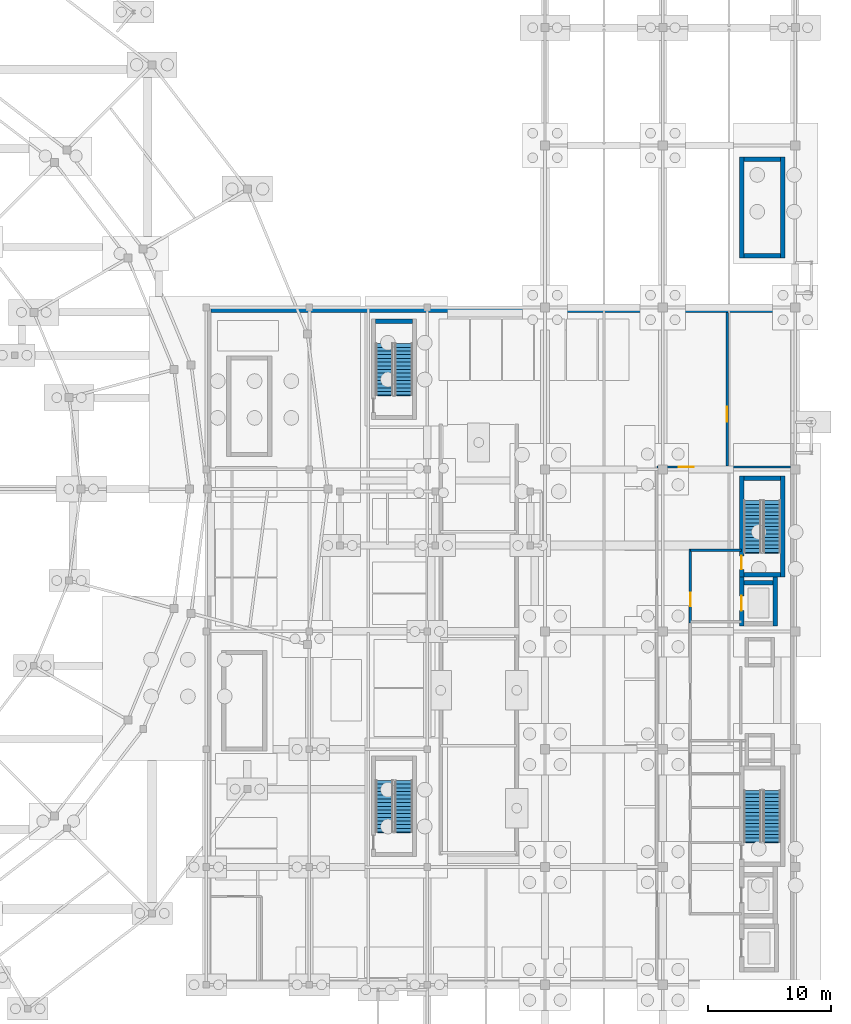
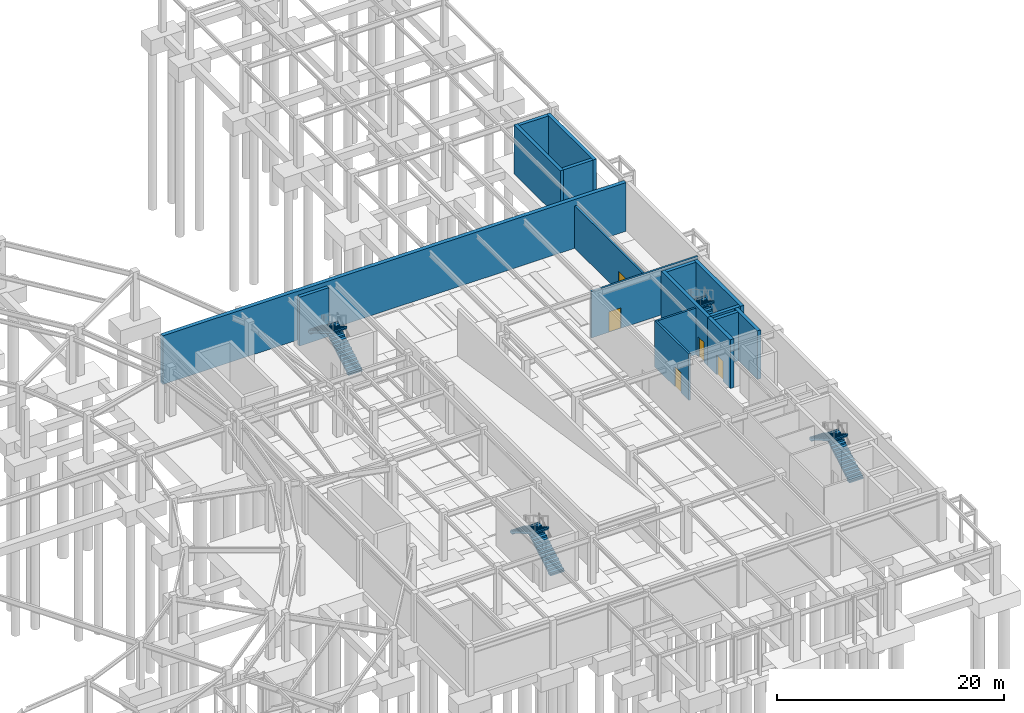
# One storey, part 49 of 55: 17 walls, 8 stair flights, 5 doors, 5 openings, 4 elements without a shape of their own.
"""IFC4 building model written with IfcOpenShell, lengths in metres."""

from ifc_helpers import new_model, si_unit, direction, frame, frame_2d, origin, place, context, subcontext, project, spatial, polyline, rectangle, outline, extrude, material, layer, layer_set, type_object, element, fill, aggregate, save


model = new_model("IFC4")

# Units and contexts
model_context = context("Model", 3, precision=1e-05, world=origin(), true_north=direction((0.0, 1.0)))
body_context = subcontext(model_context, "Body", "Model", "MODEL_VIEW")
ifc_project = project(units=[si_unit("LENGTHUNIT", "METRE"), si_unit("AREAUNIT", "SQUARE_METRE"), si_unit("VOLUMEUNIT", "CUBIC_METRE"), si_unit("PLANEANGLEUNIT", "RADIAN"), si_unit("MASSUNIT", "GRAM", prefix="KILO")], contexts=[model_context])

# Site, building, storey
site_placement = place(None, origin())
site = spatial("IfcSite", under=ifc_project, at=site_placement, CompositionType="ELEMENT")
building_placement = place(site_placement, origin())
building = spatial("IfcBuilding", under=site, at=building_placement, Name="Almandine Court Research Institute", CompositionType="ELEMENT")
storey_placement = place(building_placement, frame((0.0, 0.0, -5.25)))
storey = spatial("IfcBuildingStorey", under=building, at=storey_placement, Name="B1", CompositionType="ELEMENT", Elevation=-5.25)

# Wall, opening, door
ifc_material_1 = material(Name="Two-Hour Fire-Barrier Enclosure Wall")
ifc_layer_1 = layer(ifc_material_1, 0.199951171875)
ifc_layer_set_1 = layer_set([ifc_layer_1], Name="Two-Hour Fire-Barrier Enclosure Wall")
wall_type_1 = type_object("IfcWallType", Name="Wall-FIRE-200", PredefinedType="SOLIDWALL", material=ifc_layer_set_1)
wall_1_placement = place(storey_placement, frame((165.449951171875, 45.10009765625, 0.0), z_axis=(0.0, 0.0, 1.0), x_axis=(0.0, 1.0, 0.0)))
wall_1 = element("IfcWall", 1, at=wall_1_placement, inside=storey, type_object=wall_type_1, Name="B1 Interior Partition W-FFL2-B1-W", PredefinedType="SOLIDWALL", context=body_context, shape_type="SweptSolid", body=[
    extrude(rectangle(XDim=6.0, YDim=0.199951171875, at=frame_2d((3.0, 0.0))), origin(), (0.0, 0.0, 1.0), 5.0),
])
opening_1_placement = place(wall_1_placement, frame((1.35009765625, 0.0, 0.0)))
opening_1 = element("IfcOpeningElement", 2, at=opening_1_placement, cuts=wall_1, Name="Opening FD-FFL", PredefinedType="OPENING", context=body_context, shape_type="SweptSolid", body=[
    extrude(rectangle(XDim=1.10009765625, YDim=2.14990234375, at=frame_2d((0.550048828125, 1.074951171875))), frame((0.0, 0.10986328125, 0.0), z_axis=(0.0, -1.0, 0.0), x_axis=(1.0, 0.0, 0.0)), (0.0, 0.0, 1.0), 0.219970703125),
])
ifc_material_2 = material(Name="Smoke-Tight Firefighting Lobby Fire Door")
door_type_1 = type_object("IfcDoorType", Name="Door-FD-FFL-1100", OperationType="NOTDEFINED", PredefinedType="DOOR", material=ifc_material_2)
door_1_placement = place(opening_1_placement, origin())
door_1 = element("IfcDoor", 3, at=door_1_placement, inside=storey, type_object=door_type_1, Name="B1 Firefighting Lobby Fire Door 2", OperationType="SINGLE_SWING_RIGHT", OverallHeight=2.14990234375, OverallWidth=1.10009765625, PredefinedType="DOOR", context=body_context, shape_type="SweptSolid", body=[
    extrude(rectangle(XDim=1.10009765625, YDim=2.14990234375, at=frame_2d((0.550048828125, 1.074951171875))), frame((0.0, 0.02490234375, 0.0), z_axis=(0.0, -1.0, 0.0), x_axis=(1.0, 0.0, 0.0)), (0.0, 0.0, 1.0), 0.050048828125),
])
fill(opening_1, door_1)

# Wall
wall_2_placement = place(storey_placement, frame((165.449951171875, 51.0, 0.0), z_axis=(0.0, 0.0, 1.0), x_axis=(1.0, 0.0, 0.0)))
element("IfcWall", 4, at=wall_2_placement, inside=storey, type_object=wall_type_1, Name="B1 Interior Partition W-FFL2-B1-N", PredefinedType="SOLIDWALL", context=body_context, shape_type="SweptSolid", body=[
    extrude(rectangle(XDim=4.150146484375, YDim=0.199951171875, at=frame_2d((2.0751953125, 0.0))), origin(), (0.0, 0.0, 1.0), 5.0),
])

# Wall, opening, door
wall_3_placement = place(storey_placement, frame((162.719970703125, 57.800048828125, 0.0), z_axis=(0.0, 0.0, 1.0), x_axis=(1.0, 0.0, 0.0)))
wall_3 = element("IfcWall", 5, at=wall_3_placement, inside=storey, type_object=wall_type_1, Name="B1 Interior Partition W-B1-CENT", PredefinedType="SOLIDWALL", context=body_context, shape_type="SweptSolid", body=[
    extrude(rectangle(XDim=10.880126953125, YDim=0.199951171875, at=frame_2d((5.43994140625, 0.0))), origin(), (0.0, 0.0, 1.0), 5.0),
])
opening_2_placement = place(wall_3_placement, frame((1.800048828125, 0.0, 0.0)))
opening_2 = element("IfcOpeningElement", 6, at=opening_2_placement, cuts=wall_3, Name="Opening FD-LAB", PredefinedType="OPENING", context=body_context, shape_type="SweptSolid", body=[
    extrude(rectangle(XDim=1.199951171875, YDim=2.199951171875, at=frame_2d((0.60009765625, 1.10009765625))), frame((0.0, 0.10986328125, 0.0), z_axis=(0.0, -1.0, 0.0), x_axis=(1.0, 0.0, 0.0)), (0.0, 0.0, 1.0), 0.219970703125),
])
ifc_material_3 = material(Name="Fire-Rated Laboratory Containment Door")
door_type_2 = type_object("IfcDoorType", Name="Door-FD-LAB-1200", OperationType="NOTDEFINED", PredefinedType="DOOR", material=ifc_material_3)
door_2_placement = place(opening_2_placement, origin())
door_2 = element("IfcDoor", 7, at=door_2_placement, inside=storey, type_object=door_type_2, Name="B1 Central Chiller Plant Fire Door", OperationType="SINGLE_SWING_LEFT", OverallHeight=2.199951171875, OverallWidth=1.199951171875, PredefinedType="DOOR", context=body_context, shape_type="SweptSolid", body=[
    extrude(rectangle(XDim=1.199951171875, YDim=2.199951171875, at=frame_2d((0.60009765625, 1.10009765625))), frame((0.0, 0.02490234375, 0.0), z_axis=(0.0, -1.0, 0.0), x_axis=(1.0, 0.0, 0.0)), (0.0, 0.0, 1.0), 0.050048828125),
])
fill(opening_2, door_2)

wall_4_placement = place(storey_placement, frame((168.449951171875, 57.800048828125, 0.0), z_axis=(0.0, 0.0, 1.0), x_axis=(0.0, 1.0, 0.0)))
wall_4 = element("IfcWall", 8, at=wall_4_placement, inside=storey, type_object=wall_type_1, Name="B1 Interior Partition W-B1-ELEC", PredefinedType="SOLIDWALL", context=body_context, shape_type="SweptSolid", body=[
    extrude(rectangle(XDim=12.599853515625, YDim=0.199951171875, at=frame_2d((6.2998046875, 0.0))), origin(), (0.0, 0.0, 1.0), 4.574951171875),
])
opening_3_placement = place(wall_4_placement, frame((3.699951171875, 0.0, 0.0)))
opening_3 = element("IfcOpeningElement", 9, at=opening_3_placement, cuts=wall_4, Name="Opening FD-LAB", PredefinedType="OPENING", context=body_context, shape_type="SweptSolid", body=[
    extrude(rectangle(XDim=1.199951171875, YDim=2.199951171875, at=frame_2d((0.60009765625, 1.10009765625))), frame((0.0, 0.10986328125, 0.0), z_axis=(0.0, -1.0, 0.0), x_axis=(1.0, 0.0, 0.0)), (0.0, 0.0, 1.0), 0.219970703125),
])
door_3_placement = place(opening_3_placement, origin())
door_3 = element("IfcDoor", 10, at=door_3_placement, inside=storey, type_object=door_type_2, Name="B1 Electrical Switchgear Plant Fire Door", OperationType="SINGLE_SWING_RIGHT", OverallHeight=2.199951171875, OverallWidth=1.199951171875, PredefinedType="DOOR", context=body_context, shape_type="SweptSolid", body=[
    extrude(rectangle(XDim=1.199951171875, YDim=2.199951171875, at=frame_2d((0.60009765625, 1.10009765625))), frame((0.0, 0.02490234375, 0.0), z_axis=(0.0, -1.0, 0.0), x_axis=(1.0, 0.0, 0.0)), (0.0, 0.0, 1.0), 0.050048828125),
])
fill(opening_3, door_3)

# Wall
ifc_material_4 = material(Name="Concrete C40/50", Category="concrete")
ifc_layer_2 = layer(ifc_material_4, 0.39990234375)
ifc_layer_set_2 = layer_set([ifc_layer_2], Name="Concrete C40/50")
wall_type_2 = type_object("IfcWallType", Name="Wall-RW-B1-400", PredefinedType="USERDEFINED", material=ifc_layer_set_2)
wall_5_placement = place(storey_placement, frame((126.39990234375, 70.60009765625, 0.0), z_axis=(0.0, 0.0, 1.0), x_axis=(1.0, 0.0, 0.0)))
element("IfcWall", 11, at=wall_5_placement, inside=storey, type_object=wall_type_2, Name="B1 Basement Perimeter Retaining N Shear Wall", ObjectType="RETAINING WALL", PredefinedType="USERDEFINED", context=body_context, shape_type="SweptSolid", body=[
    extrude(rectangle(XDim=47.2001953125, YDim=0.39990234375, at=frame_2d((23.60009765625, 0.0))), origin(), (0.0, 0.0, 1.0), 5.25),
])

# Wall, opening, door
ifc_layer_3 = layer(ifc_material_4, 0.35009765625)
ifc_layer_set_3 = layer_set([ifc_layer_3], Name="Concrete C40/50")
wall_type_3 = type_object("IfcWallType", Name="Wall-SW-CORE-350", PredefinedType="SHEAR", material=ifc_layer_set_3)
wall_6_placement = place(storey_placement, frame((169.625, 48.85009765625, 0.0), z_axis=(0.0, 0.0, 1.0), x_axis=(0.0, 1.0, 0.0)))
wall_6 = element("IfcWall", 12, at=wall_6_placement, inside=storey, type_object=wall_type_3, Name="B1 ST-08 W Shear Wall", PredefinedType="SHEAR", context=body_context, shape_type="SweptSolid", body=[
    extrude(rectangle(XDim=8.199951171875, YDim=0.35009765625, at=frame_2d((4.10009765625, 0.0))), origin(), (0.0, 0.0, 1.0), 5.25),
])
opening_4_placement = place(wall_6_placement, frame((0.60009765625, 0.0, 0.0)))
opening_4 = element("IfcOpeningElement", 13, at=opening_4_placement, cuts=wall_6, Name="Opening FD-STAIR", PredefinedType="OPENING", context=body_context, shape_type="SweptSolid", body=[
    extrude(rectangle(XDim=1.10009765625, YDim=2.14990234375, at=frame_2d((0.550048828125, 1.074951171875))), frame((0.0, 0.18505859375, 0.0), z_axis=(0.0, -1.0, 0.0), x_axis=(1.0, 0.0, 0.0)), (0.0, 0.0, 1.0), 0.3701171875),
])
ifc_material_5 = material(Name="Self-Closing Steel Exit Stair Fire Door", Category="steel")
door_type_3 = type_object("IfcDoorType", Name="Door-FD-STAIR-1100", OperationType="NOTDEFINED", PredefinedType="DOOR", material=ifc_material_5)
door_4_placement = place(opening_4_placement, origin())
door_4 = element("IfcDoor", 14, at=door_4_placement, inside=storey, type_object=door_type_3, Name="B1 Exit Stair ST-08 Fire Door", OperationType="SINGLE_SWING_RIGHT", OverallHeight=2.14990234375, OverallWidth=1.10009765625, PredefinedType="DOOR", context=body_context, shape_type="SweptSolid", body=[
    extrude(rectangle(XDim=1.10009765625, YDim=2.14990234375, at=frame_2d((0.550048828125, 1.074951171875))), frame((0.0, 0.02490234375, 0.0), z_axis=(0.0, -1.0, 0.0), x_axis=(1.0, 0.0, 0.0)), (0.0, 0.0, 1.0), 0.050048828125),
])
fill(opening_4, door_4)

# Walls
wall_7_placement = place(storey_placement, frame((169.800048828125, 56.875, 0.0), z_axis=(0.0, 0.0, 1.0), x_axis=(1.0, 0.0, 0.0)))
element("IfcWall", 15, at=wall_7_placement, inside=storey, type_object=wall_type_3, Name="B1 ST-08 N Shear Wall", PredefinedType="SHEAR", context=body_context, shape_type="SweptSolid", body=[
    extrude(rectangle(XDim=3.0, YDim=0.35009765625, at=frame_2d((1.5, 0.0))), origin(), (0.0, 0.0, 1.0), 5.25),
])
wall_8_placement = place(storey_placement, frame((172.97509765625, 57.050048828125, 0.0), z_axis=(0.0, 0.0, 1.0), x_axis=(0.0, -1.0, 0.0)))
element("IfcWall", 16, at=wall_8_placement, inside=storey, type_object=wall_type_3, Name="B1 ST-08 E Shear Wall", PredefinedType="SHEAR", context=body_context, shape_type="SweptSolid", body=[
    extrude(rectangle(XDim=8.199951171875, YDim=0.35009765625, at=frame_2d((4.10009765625, 0.0))), origin(), (0.0, 0.0, 1.0), 5.25),
])
wall_9_placement = place(storey_placement, frame((172.800048828125, 49.02490234375, 0.0), z_axis=(0.0, 0.0, 1.0), x_axis=(-1.0, 0.0, 0.0)))
element("IfcWall", 17, at=wall_9_placement, inside=storey, type_object=wall_type_3, Name="B1 ST-08 S Shear Wall", PredefinedType="SHEAR", context=body_context, shape_type="SweptSolid", body=[
    extrude(rectangle(XDim=3.0, YDim=0.35009765625, at=frame_2d((1.5, 0.0))), origin(), (0.0, 0.0, 1.0), 5.25),
])
wall_10_placement = place(storey_placement, frame((169.625, 74.85009765625, 0.0), z_axis=(0.0, 0.0, 1.0), x_axis=(0.0, 1.0, 0.0)))
element("IfcWall", 18, at=wall_10_placement, inside=storey, type_object=wall_type_3, Name="B1 ST-13 Substructure W Shear Wall", PredefinedType="SHEAR", context=body_context, shape_type="SweptSolid", body=[
    extrude(rectangle(XDim=8.199951171875, YDim=0.35009765625, at=frame_2d((4.10009765625, 0.0))), origin(), (0.0, 0.0, 1.0), 5.25),
])
wall_11_placement = place(storey_placement, frame((169.800048828125, 82.875, 0.0), z_axis=(0.0, 0.0, 1.0), x_axis=(1.0, 0.0, 0.0)))
element("IfcWall", 19, at=wall_11_placement, inside=storey, type_object=wall_type_3, Name="B1 ST-13 Substructure N Shear Wall", PredefinedType="SHEAR", context=body_context, shape_type="SweptSolid", body=[
    extrude(rectangle(XDim=3.0, YDim=0.35009765625, at=frame_2d((1.5, 0.0))), origin(), (0.0, 0.0, 1.0), 5.25),
])
wall_12_placement = place(storey_placement, frame((172.97509765625, 83.050048828125, 0.0), z_axis=(0.0, 0.0, 1.0), x_axis=(0.0, -1.0, 0.0)))
element("IfcWall", 20, at=wall_12_placement, inside=storey, type_object=wall_type_3, Name="B1 ST-13 Substructure E Shear Wall", PredefinedType="SHEAR", context=body_context, shape_type="SweptSolid", body=[
    extrude(rectangle(XDim=8.199951171875, YDim=0.35009765625, at=frame_2d((4.10009765625, 0.0))), origin(), (0.0, 0.0, 1.0), 5.25),
])
for number, where, z_axis, x_axis, name in (
    (21, (172.800048828125, 75.02490234375, 0.0), (0.0, 0.0, 1.0), (-1.0, 0.0, 0.0), "B1 ST-13 Substructure S Shear Wall"),
    (22, (139.800048828125, 69.675048828125, 0.0), (0.0, 0.0, 1.0), (1.0, 0.0, 0.0), "B1 ST-12 N Shear Wall"),
):
    element("IfcWall", number, at=place(storey_placement, frame(where, z_axis=z_axis, x_axis=x_axis)), inside=storey, type_object=wall_type_3, Name=name, PredefinedType="SHEAR", context=body_context, shape_type="SweptSolid", body=[
        extrude(rectangle(XDim=3.0, YDim=0.35009765625, at=frame_2d((1.5, 0.0))), origin(), (0.0, 0.0, 1.0), 5.25),
    ])

# Wall, opening, door
wall_13_placement = place(storey_placement, frame((169.625, 44.85009765625, 0.0), z_axis=(0.0, 0.0, 1.0), x_axis=(0.0, 1.0, 0.0)))
wall_13 = element("IfcWall", 23, at=wall_13_placement, inside=storey, type_object=wall_type_3, Name="B1 FL-02 Hoistway W Shear Wall", PredefinedType="SHEAR", context=body_context, shape_type="SweptSolid", body=[
    extrude(rectangle(XDim=4.0, YDim=0.35009765625, at=frame_2d((2.0, 0.0))), origin(), (0.0, 0.0, 1.0), 5.25),
])
opening_5_placement = place(wall_13_placement, frame((1.25, 0.0, 0.0)))
opening_5 = element("IfcOpeningElement", 24, at=opening_5_placement, cuts=wall_13, Name="Opening LD-02", PredefinedType="OPENING", context=body_context, shape_type="SweptSolid", body=[
    extrude(rectangle(XDim=1.199951171875, YDim=2.14990234375, at=frame_2d((0.60009765625, 1.074951171875))), frame((0.0, 0.18505859375, 0.0), z_axis=(0.0, -1.0, 0.0), x_axis=(1.0, 0.0, 0.0)), (0.0, 0.0, 1.0), 0.3701171875),
])
ifc_material_6 = material(Name="Firefighting Lift Landing Sliding Door")
door_type_4 = type_object("IfcDoorType", Name="Door-LD-FSAE-1200", OperationType="SLIDING_TO_LEFT", PredefinedType="USERDEFINED", material=ifc_material_6)
door_5_placement = place(opening_5_placement, origin())
door_5 = element("IfcDoor", 25, at=door_5_placement, inside=storey, type_object=door_type_4, Name="B1 Firefighting Lift FL-02 Sliding Landing Door", ObjectType="LANDING DOOR", OperationType="SLIDING_TO_LEFT", OverallHeight=2.14990234375, OverallWidth=1.199951171875, PredefinedType="USERDEFINED", context=body_context, shape_type="SweptSolid", body=[
    extrude(rectangle(XDim=1.199951171875, YDim=2.14990234375, at=frame_2d((0.60009765625, 1.074951171875))), frame((0.0, 0.02490234375, 0.0), z_axis=(0.0, -1.0, 0.0), x_axis=(1.0, 0.0, 0.0)), (0.0, 0.0, 1.0), 0.050048828125),
])
fill(opening_5, door_5)

# Walls
wall_14_placement = place(storey_placement, frame((169.800048828125, 48.375, 0.0), z_axis=(0.0, 0.0, 1.0), x_axis=(1.0, 0.0, 0.0)))
element("IfcWall", 26, at=wall_14_placement, inside=storey, type_object=wall_type_3, Name="B1 FL-02 Hoistway N Shear Wall", PredefinedType="SHEAR", context=body_context, shape_type="SweptSolid", body=[
    extrude(rectangle(XDim=2.39990234375, YDim=0.35009765625, at=frame_2d((1.199951171875, 0.0))), origin(), (0.0, 0.0, 1.0), 5.25),
])
wall_15_placement = place(storey_placement, frame((172.375, 48.85009765625, 0.0), z_axis=(0.0, 0.0, 1.0), x_axis=(0.0, -1.0, 0.0)))
element("IfcWall", 27, at=wall_15_placement, inside=storey, type_object=wall_type_3, Name="B1 FL-02 Hoistway E Shear Wall", PredefinedType="SHEAR", context=body_context, shape_type="SweptSolid", body=[
    extrude(rectangle(XDim=4.0, YDim=0.35009765625, at=frame_2d((2.0, 0.0))), origin(), (0.0, 0.0, 1.0), 5.25),
])

# Stair, stair flights
ifc_material_7 = material(Name="Concrete C35/45", Category="concrete")
stair_type = type_object("IfcStairType", Name="Stair-Core-30R", PredefinedType="HALF_TURN_STAIR", material=ifc_material_7)
stair_1_placement = place(storey_placement, origin())
stair_1 = element("IfcStair", 28, at=stair_1_placement, inside=storey, type_object=stair_type, Name="B1 Wet Lab South High-Rise Core Stair", PredefinedType="HALF_TURN_STAIR")
stair_flight_type = type_object("IfcStairFlightType", Name="Flight-Core-30R", PredefinedType="STRAIGHT", material=ifc_material_7)
stair_flight_1_placement = place(storey_placement, frame((172.090087890625, 27.25, 0.0), z_axis=(0.0, 0.0, 1.0), x_axis=(0.0, 1.0, 0.0)))
stair_flight_1 = element("IfcStairFlight", 29, at=stair_flight_1_placement, type_object=stair_flight_type, Name="ST-07 flight 1", NumberOfRisers=15, NumberOfTreads=14, PredefinedType="STRAIGHT", RiserHeight=0.175, TreadLength=0.3, context=body_context, shape_type="SweptSolid", body=[
    extrude(outline(polyline([(-0.080078125, -0.139892578125), (-0.080078125, 0.0), (0.0, 0.0), (0.0, 0.175048828125), (0.300048828125, 0.175048828125), (0.300048828125, 0.35009765625), (0.60009765625, 0.35009765625), (0.60009765625, 0.52490234375), (0.89990234375, 0.52490234375), (0.89990234375, 0.699951171875), (1.199951171875, 0.699951171875), (1.199951171875, 0.875), (1.5, 0.875), (1.5, 1.050048828125), (1.800048828125, 1.050048828125), (1.800048828125, 1.22509765625), (2.10009765625, 1.22509765625), (2.10009765625, 1.39990234375), (2.39990234375, 1.39990234375), (2.39990234375, 1.574951171875), (2.699951171875, 1.574951171875), (2.699951171875, 1.75), (3.0, 1.75), (3.0, 1.925048828125), (3.300048828125, 1.925048828125), (3.300048828125, 2.10009765625), (3.60009765625, 2.10009765625), (3.60009765625, 2.27490234375), (3.89990234375, 2.27490234375), (3.89990234375, 2.449951171875), (4.199951171875, 2.449951171875), (4.199951171875, 2.625), (4.280029296875, 2.625), (4.280029296875, 2.465087890625), (4.199951171875, 2.264892578125), (0.3173828125, 0.0), (0.3173828125, -0.139892578125), (-0.080078125, -0.139892578125)])), frame((0.0, 0.7099609375, 0.0), z_axis=(0.0, -1.0, 0.0), x_axis=(1.0, 0.0, 0.0)), (0.0, 0.0, 1.0), 1.419921875),
])
stair_flight_2_placement = place(storey_placement, frame((170.510009765625, 31.449951171875, 2.625), z_axis=(0.0, 0.0, 1.0), x_axis=(0.0, -1.0, 0.0)))
stair_flight_2 = element("IfcStairFlight", 30, at=stair_flight_2_placement, type_object=stair_flight_type, Name="ST-07 flight 2", NumberOfRisers=15, NumberOfTreads=14, PredefinedType="STRAIGHT", RiserHeight=0.175, TreadLength=0.3, context=body_context, shape_type="SweptSolid", body=[
    extrude(outline(polyline([(-0.080078125, -0.139892578125), (-0.080078125, 0.0), (0.0, 0.0), (0.0, 0.175048828125), (0.300048828125, 0.175048828125), (0.300048828125, 0.35009765625), (0.60009765625, 0.35009765625), (0.60009765625, 0.52490234375), (0.89990234375, 0.52490234375), (0.89990234375, 0.699951171875), (1.199951171875, 0.699951171875), (1.199951171875, 0.875), (1.5, 0.875), (1.5, 1.050048828125), (1.800048828125, 1.050048828125), (1.800048828125, 1.22509765625), (2.10009765625, 1.22509765625), (2.10009765625, 1.39990234375), (2.39990234375, 1.39990234375), (2.39990234375, 1.574951171875), (2.699951171875, 1.574951171875), (2.699951171875, 1.75), (3.0, 1.75), (3.0, 1.925048828125), (3.300048828125, 1.925048828125), (3.300048828125, 2.10009765625), (3.60009765625, 2.10009765625), (3.60009765625, 2.27490234375), (3.89990234375, 2.27490234375), (3.89990234375, 2.449951171875), (4.199951171875, 2.449951171875), (4.199951171875, 2.625), (4.280029296875, 2.625), (4.280029296875, 2.465087890625), (4.199951171875, 2.264892578125), (0.3173828125, 0.0), (0.3173828125, -0.139892578125), (-0.080078125, -0.139892578125)])), frame((0.0, 0.7099609375, 0.0), z_axis=(0.0, -1.0, 0.0), x_axis=(1.0, 0.0, 0.0)), (0.0, 0.0, 1.0), 1.419921875),
])
aggregate(stair_1, [stair_flight_1, stair_flight_2])

stair_2_placement = place(storey_placement, origin())
stair_2 = element("IfcStair", 31, at=stair_2_placement, inside=storey, type_object=stair_type, Name="B1 Wet Lab Central High-Rise Core Stair", PredefinedType="HALF_TURN_STAIR")
stair_flight_3_placement = place(storey_placement, frame((172.090087890625, 50.85009765625, 0.0), z_axis=(0.0, 0.0, 1.0), x_axis=(0.0, 1.0, 0.0)))
stair_flight_3 = element("IfcStairFlight", 32, at=stair_flight_3_placement, type_object=stair_flight_type, Name="ST-08 flight 1", NumberOfRisers=15, NumberOfTreads=14, PredefinedType="STRAIGHT", RiserHeight=0.175, TreadLength=0.3, context=body_context, shape_type="SweptSolid", body=[
    extrude(outline(polyline([(-0.080078125, -0.139892578125), (-0.080078125, 0.0), (0.0, 0.0), (0.0, 0.175048828125), (0.300048828125, 0.175048828125), (0.300048828125, 0.35009765625), (0.60009765625, 0.35009765625), (0.60009765625, 0.52490234375), (0.89990234375, 0.52490234375), (0.89990234375, 0.699951171875), (1.199951171875, 0.699951171875), (1.199951171875, 0.875), (1.5, 0.875), (1.5, 1.050048828125), (1.800048828125, 1.050048828125), (1.800048828125, 1.22509765625), (2.10009765625, 1.22509765625), (2.10009765625, 1.39990234375), (2.39990234375, 1.39990234375), (2.39990234375, 1.574951171875), (2.699951171875, 1.574951171875), (2.699951171875, 1.75), (3.0, 1.75), (3.0, 1.925048828125), (3.300048828125, 1.925048828125), (3.300048828125, 2.10009765625), (3.60009765625, 2.10009765625), (3.60009765625, 2.27490234375), (3.89990234375, 2.27490234375), (3.89990234375, 2.449951171875), (4.199951171875, 2.449951171875), (4.199951171875, 2.625), (4.280029296875, 2.625), (4.280029296875, 2.465087890625), (4.199951171875, 2.264892578125), (0.3173828125, 0.0), (0.3173828125, -0.139892578125), (-0.080078125, -0.139892578125)])), frame((0.0, 0.7099609375, 0.0), z_axis=(0.0, -1.0, 0.0), x_axis=(1.0, 0.0, 0.0)), (0.0, 0.0, 1.0), 1.419921875),
])
stair_flight_4_placement = place(storey_placement, frame((170.510009765625, 55.050048828125, 2.625), z_axis=(0.0, 0.0, 1.0), x_axis=(0.0, -1.0, 0.0)))
stair_flight_4 = element("IfcStairFlight", 33, at=stair_flight_4_placement, type_object=stair_flight_type, Name="ST-08 flight 2", NumberOfRisers=15, NumberOfTreads=14, PredefinedType="STRAIGHT", RiserHeight=0.175, TreadLength=0.3, context=body_context, shape_type="SweptSolid", body=[
    extrude(outline(polyline([(-0.080078125, -0.139892578125), (-0.080078125, 0.0), (0.0, 0.0), (0.0, 0.175048828125), (0.300048828125, 0.175048828125), (0.300048828125, 0.35009765625), (0.60009765625, 0.35009765625), (0.60009765625, 0.52490234375), (0.89990234375, 0.52490234375), (0.89990234375, 0.699951171875), (1.199951171875, 0.699951171875), (1.199951171875, 0.875), (1.5, 0.875), (1.5, 1.050048828125), (1.800048828125, 1.050048828125), (1.800048828125, 1.22509765625), (2.10009765625, 1.22509765625), (2.10009765625, 1.39990234375), (2.39990234375, 1.39990234375), (2.39990234375, 1.574951171875), (2.699951171875, 1.574951171875), (2.699951171875, 1.75), (3.0, 1.75), (3.0, 1.925048828125), (3.300048828125, 1.925048828125), (3.300048828125, 2.10009765625), (3.60009765625, 2.10009765625), (3.60009765625, 2.27490234375), (3.89990234375, 2.27490234375), (3.89990234375, 2.449951171875), (4.199951171875, 2.449951171875), (4.199951171875, 2.625), (4.280029296875, 2.625), (4.280029296875, 2.465087890625), (4.199951171875, 2.264892578125), (0.3173828125, 0.0), (0.3173828125, -0.139892578125), (-0.080078125, -0.139892578125)])), frame((0.0, 0.7099609375, 0.0), z_axis=(0.0, -1.0, 0.0), x_axis=(1.0, 0.0, 0.0)), (0.0, 0.0, 1.0), 1.419921875),
])
aggregate(stair_2, [stair_flight_3, stair_flight_4])

stair_3_placement = place(storey_placement, origin())
stair_3 = element("IfcStair", 34, at=stair_3_placement, inside=storey, type_object=stair_type, Name="B1 Basement Garage Southwest Exit Stair", PredefinedType="HALF_TURN_STAIR")
stair_flight_5_placement = place(storey_placement, frame((142.090087890625, 28.050048828125, 0.0), z_axis=(0.0, 0.0, 1.0), x_axis=(0.0, 1.0, 0.0)))
stair_flight_5 = element("IfcStairFlight", 35, at=stair_flight_5_placement, type_object=stair_flight_type, Name="ST-11 flight 1", NumberOfRisers=15, NumberOfTreads=14, PredefinedType="STRAIGHT", RiserHeight=0.175, TreadLength=0.3, context=body_context, shape_type="SweptSolid", body=[
    extrude(outline(polyline([(-0.080078125, -0.139892578125), (-0.080078125, 0.0), (0.0, 0.0), (0.0, 0.175048828125), (0.300048828125, 0.175048828125), (0.300048828125, 0.35009765625), (0.60009765625, 0.35009765625), (0.60009765625, 0.52490234375), (0.89990234375, 0.52490234375), (0.89990234375, 0.699951171875), (1.199951171875, 0.699951171875), (1.199951171875, 0.875), (1.5, 0.875), (1.5, 1.050048828125), (1.800048828125, 1.050048828125), (1.800048828125, 1.22509765625), (2.10009765625, 1.22509765625), (2.10009765625, 1.39990234375), (2.39990234375, 1.39990234375), (2.39990234375, 1.574951171875), (2.699951171875, 1.574951171875), (2.699951171875, 1.75), (3.0, 1.75), (3.0, 1.925048828125), (3.300048828125, 1.925048828125), (3.300048828125, 2.10009765625), (3.60009765625, 2.10009765625), (3.60009765625, 2.27490234375), (3.89990234375, 2.27490234375), (3.89990234375, 2.449951171875), (4.199951171875, 2.449951171875), (4.199951171875, 2.625), (4.280029296875, 2.625), (4.280029296875, 2.465087890625), (4.199951171875, 2.264892578125), (0.3173828125, 0.0), (0.3173828125, -0.139892578125), (-0.080078125, -0.139892578125)])), frame((0.0, 0.7099609375, 0.0), z_axis=(0.0, -1.0, 0.0), x_axis=(1.0, 0.0, 0.0)), (0.0, 0.0, 1.0), 1.419921875),
])
stair_flight_6_placement = place(storey_placement, frame((140.510009765625, 32.25, 2.625), z_axis=(0.0, 0.0, 1.0), x_axis=(0.0, -1.0, 0.0)))
stair_flight_6 = element("IfcStairFlight", 36, at=stair_flight_6_placement, type_object=stair_flight_type, Name="ST-11 flight 2", NumberOfRisers=15, NumberOfTreads=14, PredefinedType="STRAIGHT", RiserHeight=0.175, TreadLength=0.3, context=body_context, shape_type="SweptSolid", body=[
    extrude(outline(polyline([(-0.080078125, -0.139892578125), (-0.080078125, 0.0), (0.0, 0.0), (0.0, 0.175048828125), (0.300048828125, 0.175048828125), (0.300048828125, 0.35009765625), (0.60009765625, 0.35009765625), (0.60009765625, 0.52490234375), (0.89990234375, 0.52490234375), (0.89990234375, 0.699951171875), (1.199951171875, 0.699951171875), (1.199951171875, 0.875), (1.5, 0.875), (1.5, 1.050048828125), (1.800048828125, 1.050048828125), (1.800048828125, 1.22509765625), (2.10009765625, 1.22509765625), (2.10009765625, 1.39990234375), (2.39990234375, 1.39990234375), (2.39990234375, 1.574951171875), (2.699951171875, 1.574951171875), (2.699951171875, 1.75), (3.0, 1.75), (3.0, 1.925048828125), (3.300048828125, 1.925048828125), (3.300048828125, 2.10009765625), (3.60009765625, 2.10009765625), (3.60009765625, 2.27490234375), (3.89990234375, 2.27490234375), (3.89990234375, 2.449951171875), (4.199951171875, 2.449951171875), (4.199951171875, 2.625), (4.280029296875, 2.625), (4.280029296875, 2.465087890625), (4.199951171875, 2.264892578125), (0.3173828125, 0.0), (0.3173828125, -0.139892578125), (-0.080078125, -0.139892578125)])), frame((0.0, 0.7099609375, 0.0), z_axis=(0.0, -1.0, 0.0), x_axis=(1.0, 0.0, 0.0)), (0.0, 0.0, 1.0), 1.419921875),
])
aggregate(stair_3, [stair_flight_5, stair_flight_6])

stair_4_placement = place(storey_placement, origin())
stair_4 = element("IfcStair", 37, at=stair_4_placement, inside=storey, type_object=stair_type, Name="B1 Basement Garage Northwest Exit Stair", PredefinedType="HALF_TURN_STAIR")
stair_flight_7_placement = place(storey_placement, frame((142.090087890625, 63.64990234375, 0.0), z_axis=(0.0, 0.0, 1.0), x_axis=(0.0, 1.0, 0.0)))
stair_flight_7 = element("IfcStairFlight", 38, at=stair_flight_7_placement, type_object=stair_flight_type, Name="ST-12 flight 1", NumberOfRisers=15, NumberOfTreads=14, PredefinedType="STRAIGHT", RiserHeight=0.175, TreadLength=0.3, context=body_context, shape_type="SweptSolid", body=[
    extrude(outline(polyline([(-0.080078125, -0.139892578125), (-0.080078125, 0.0), (0.0, 0.0), (0.0, 0.175048828125), (0.300048828125, 0.175048828125), (0.300048828125, 0.35009765625), (0.60009765625, 0.35009765625), (0.60009765625, 0.52490234375), (0.89990234375, 0.52490234375), (0.89990234375, 0.699951171875), (1.199951171875, 0.699951171875), (1.199951171875, 0.875), (1.5, 0.875), (1.5, 1.050048828125), (1.800048828125, 1.050048828125), (1.800048828125, 1.22509765625), (2.10009765625, 1.22509765625), (2.10009765625, 1.39990234375), (2.39990234375, 1.39990234375), (2.39990234375, 1.574951171875), (2.699951171875, 1.574951171875), (2.699951171875, 1.75), (3.0, 1.75), (3.0, 1.925048828125), (3.300048828125, 1.925048828125), (3.300048828125, 2.10009765625), (3.60009765625, 2.10009765625), (3.60009765625, 2.27490234375), (3.89990234375, 2.27490234375), (3.89990234375, 2.449951171875), (4.199951171875, 2.449951171875), (4.199951171875, 2.625), (4.280029296875, 2.625), (4.280029296875, 2.465087890625), (4.199951171875, 2.264892578125), (0.3173828125, 0.0), (0.3173828125, -0.139892578125), (-0.080078125, -0.139892578125)])), frame((0.0, 0.7099609375, 0.0), z_axis=(0.0, -1.0, 0.0), x_axis=(1.0, 0.0, 0.0)), (0.0, 0.0, 1.0), 1.419921875),
])
stair_flight_8_placement = place(storey_placement, frame((140.510009765625, 67.85009765625, 2.625), z_axis=(0.0, 0.0, 1.0), x_axis=(0.0, -1.0, 0.0)))
stair_flight_8 = element("IfcStairFlight", 39, at=stair_flight_8_placement, type_object=stair_flight_type, Name="ST-12 flight 2", NumberOfRisers=15, NumberOfTreads=14, PredefinedType="STRAIGHT", RiserHeight=0.175, TreadLength=0.3, context=body_context, shape_type="SweptSolid", body=[
    extrude(outline(polyline([(-0.080078125, -0.139892578125), (-0.080078125, 0.0), (0.0, 0.0), (0.0, 0.175048828125), (0.300048828125, 0.175048828125), (0.300048828125, 0.35009765625), (0.60009765625, 0.35009765625), (0.60009765625, 0.52490234375), (0.89990234375, 0.52490234375), (0.89990234375, 0.699951171875), (1.199951171875, 0.699951171875), (1.199951171875, 0.875), (1.5, 0.875), (1.5, 1.050048828125), (1.800048828125, 1.050048828125), (1.800048828125, 1.22509765625), (2.10009765625, 1.22509765625), (2.10009765625, 1.39990234375), (2.39990234375, 1.39990234375), (2.39990234375, 1.574951171875), (2.699951171875, 1.574951171875), (2.699951171875, 1.75), (3.0, 1.75), (3.0, 1.925048828125), (3.300048828125, 1.925048828125), (3.300048828125, 2.10009765625), (3.60009765625, 2.10009765625), (3.60009765625, 2.27490234375), (3.89990234375, 2.27490234375), (3.89990234375, 2.449951171875), (4.199951171875, 2.449951171875), (4.199951171875, 2.625), (4.280029296875, 2.625), (4.280029296875, 2.465087890625), (4.199951171875, 2.264892578125), (0.3173828125, 0.0), (0.3173828125, -0.139892578125), (-0.080078125, -0.139892578125)])), frame((0.0, 0.7099609375, 0.0), z_axis=(0.0, -1.0, 0.0), x_axis=(1.0, 0.0, 0.0)), (0.0, 0.0, 1.0), 1.419921875),
])
aggregate(stair_4, [stair_flight_7, stair_flight_8])

save(model, "model.ifc")
